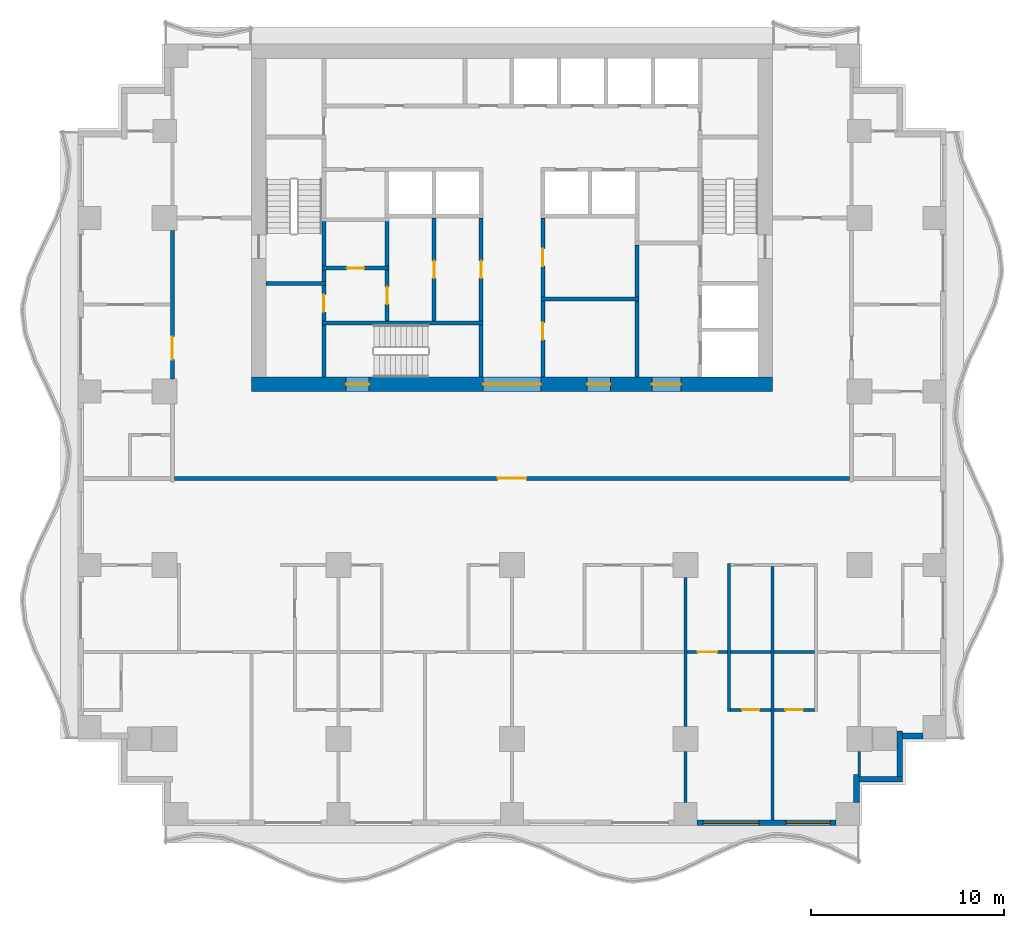
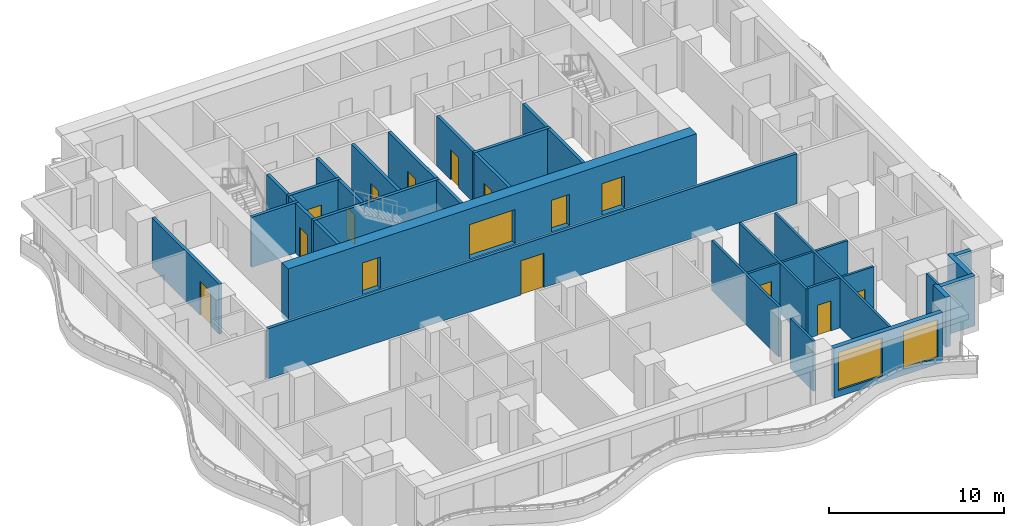
# One storey, part 3 of 10: 35 walls, 16 doors, 2 windows, 18 openings.
"""IFC4 building model written with IfcOpenShell, lengths in metres."""

import ifcopenshell
import ifcopenshell.guid

model = None  # the IFC model being written
_history = None  # IfcOwnerHistory: only IFC2X3 demands one
_inside = {}  # id of a spatial element -> (the spatial element, [elements in it])
_under = {}  # id of a project, library or spatial element -> (it, [spatial elements below it])
_declared = {}  # id of a project -> (the project, [libraries it declares])
_typed = {}  # id of a type object -> (the type object, [elements of that type])
_made_of = {}  # id of a material, layer set ... -> (it, [elements and type objects made of it])


def new_model(schema):
    """Start an empty IFC model of exactly this schema.

    Asked for "IFC4X3", IfcOpenShell would pick the latest addendum, in which some entities
    have other attributes; the version numbers below select the first issue.
    IFC2X3 requires an IfcOwnerHistory on every rooted entity: one is made here for all.
    """
    global model, _history
    if schema == "IFC4X3":
        model = ifcopenshell.file(schema_version=(4, 3, 0, 0))
    else:
        model = ifcopenshell.file(schema=schema)
    _inside.clear()
    _under.clear()
    _declared.clear()
    _typed.clear()
    _made_of.clear()
    _history = None
    if model.schema == "IFC2X3":
        org = make("IfcOrganization", Name="unknown")
        user = make(
            "IfcPersonAndOrganization",
            ThePerson=make("IfcPerson", FamilyName="unknown"),
            TheOrganization=org,
        )
        app = make(
            "IfcApplication",
            ApplicationDeveloper=org,
            Version="unknown",
            ApplicationFullName="unknown",
            ApplicationIdentifier="unknown",
        )
        _history = make(
            "IfcOwnerHistory",
            OwningUser=user,
            OwningApplication=app,
            ChangeAction="ADDED",
            CreationDate=0,
        )
    return model


def make(cls, **values):
    """One entity of the class cls with the attributes given. An attribute that is None is left unset."""
    return model.create_entity(
        cls, **{name: value for name, value in values.items() if value is not None}
    )


def rooted(cls, **values):
    """An entity with a GlobalId (a new one), such as an element, a storey or a relation."""
    return make(cls, GlobalId=ifcopenshell.guid.new(), OwnerHistory=_history, **values)


def si_unit(unit_type, name, prefix=None):
    """IfcSIUnit, for example si_unit("LENGTHUNIT", "METRE", prefix="MILLI")."""
    return make("IfcSIUnit", UnitType=unit_type, Prefix=prefix, Name=name)


def assignment(units):
    """IfcUnitAssignment: the units of a project."""
    return None if units is None else make("IfcUnitAssignment", Units=units)


def point(xyz):
    """IfcCartesianPoint."""
    return None if xyz is None else make("IfcCartesianPoint", Coordinates=xyz)


def direction(xyz):
    """IfcDirection."""
    return None if xyz is None else make("IfcDirection", DirectionRatios=xyz)


def frame(location, z_axis=None, x_axis=None):
    """IfcAxis2Placement3D, a coordinate frame: its origin and axes. An axis left out is left unset."""
    return make(
        "IfcAxis2Placement3D",
        Location=point(location),
        Axis=direction(z_axis),
        RefDirection=direction(x_axis),
    )


def frame_2d(location, x_axis=None):
    """IfcAxis2Placement2D, a coordinate frame in the plane: its origin and x axis."""
    return make(
        "IfcAxis2Placement2D", Location=point(location), RefDirection=direction(x_axis)
    )


def origin():
    """The frame at (0, 0, 0) with its axes left unset."""
    return frame((0.0, 0.0, 0.0))


def place(relative_to, where):
    """IfcLocalPlacement: puts the frame where relative to a parent placement (None: the world)."""
    return make(
        "IfcLocalPlacement", PlacementRelTo=relative_to, RelativePlacement=where
    )


def context(
    kind, dimensions, precision=None, world=None, true_north=None, identifier=None
):
    """IfcGeometricRepresentationContext, for example the 3D "Model" context."""
    return make(
        "IfcGeometricRepresentationContext",
        ContextIdentifier=identifier,
        ContextType=kind,
        CoordinateSpaceDimension=dimensions,
        Precision=precision,
        WorldCoordinateSystem=world,
        TrueNorth=true_north,
    )


def subcontext(parent, identifier, kind, view, scale=None):
    """IfcGeometricRepresentationSubContext, for example "Body" below "Model"."""
    return make(
        "IfcGeometricRepresentationSubContext",
        ContextIdentifier=identifier,
        ContextType=kind,
        ParentContext=parent,
        TargetScale=scale,
        TargetView=view,
    )


def project(units=None, contexts=None):
    """IfcProject with its units and contexts."""
    return rooted(
        "IfcProject",
        Name="project",
        RepresentationContexts=contexts,
        UnitsInContext=assignment(units),
    )


def spatial(cls, under=None, at=None, **own):
    """A site, building, storey or space (cls), placed at a placement, below another one or the project."""
    s = rooted(cls, ObjectPlacement=at, **own)
    if under is not None:
        _under.setdefault(under.id(), (under, []))[1].append(s)
    return s


def profile(cls, at=None, kind="AREA", **sizes):
    """A parametric profile (cls). Its sizes go by their IFC names, for example OverallWidth=200.0."""
    return make(cls, ProfileType=kind, Position=at, **sizes)


def rectangle(**sizes):
    """IfcRectangleProfileDef."""
    return profile("IfcRectangleProfileDef", **sizes)


def extrude(swept, where, along, depth):
    """IfcExtrudedAreaSolid: the profile swept, set in the frame where, extruded along a direction by depth."""
    return make(
        "IfcExtrudedAreaSolid",
        SweptArea=swept,
        Position=where,
        ExtrudedDirection=direction(along),
        Depth=depth,
    )


def shape(context_of_items, identifier, shape_type, items):
    """IfcShapeRepresentation: the items that make up one representation, for example the "Body"."""
    return make(
        "IfcShapeRepresentation",
        ContextOfItems=context_of_items,
        RepresentationIdentifier=identifier,
        RepresentationType=shape_type,
        Items=items,
    )


def material(Name=None, Category=None):
    """IfcMaterial."""
    return make("IfcMaterial", Name=Name, Category=Category)


def layer(
    of_material, thickness, ventilated=None, Name=None, Category=None, Priority=None
):
    """IfcMaterialLayer: one layer of a wall or slab, of a material (None: an air gap)."""
    return make(
        "IfcMaterialLayer",
        Material=of_material,
        LayerThickness=thickness,
        IsVentilated=ventilated,
        Name=Name,
        Category=Category,
        Priority=Priority,
    )


def layer_set(layers, Name=None):
    """IfcMaterialLayerSet."""
    return make("IfcMaterialLayerSet", MaterialLayers=layers, LayerSetName=Name)


def made_of(thing, what):
    """Note that an element or type object is made of a material, layer set ...; save() writes the relation."""
    if what is not None:
        _made_of.setdefault(what.id(), (what, []))[1].append(thing)
    return thing


def type_object(cls, material=None, **own):
    """A type object (cls), such as IfcWallType, which elements share."""
    return made_of(rooted(cls, **own), material)


def element(
    cls,
    number,
    at=None,
    inside=None,
    cuts=None,
    type_object=None,
    material=None,
    context=None,
    identifier="Body",
    shape_type=None,
    held_by="IfcProductDefinitionShape",
    body=None,
    shapes=None,
    **own,
):
    """One element of the class cls, such as IfcWall. Its Tag is "e" and its number.

    at: its placement. inside: the storey or other place that contains it. cuts: it is an
    opening in that element (IfcRelVoidsElement). A single representation is given by context,
    identifier, shape_type and body (its items); several are given by shapes. held_by: the class
    of the entity that holds the representations. save() writes the other relations.
    """
    e = rooted(cls, Tag="e%d" % number, ObjectPlacement=at, **own)
    if body is not None:
        shapes = [shape(context, identifier, shape_type, body)]
    if shapes is not None:
        e.Representation = make(held_by, Representations=shapes)
    if inside is not None:
        _inside.setdefault(inside.id(), (inside, []))[1].append(e)
    if cuts is not None:
        rooted(
            "IfcRelVoidsElement", RelatingBuildingElement=cuts, RelatedOpeningElement=e
        )
    if type_object is not None:
        _typed.setdefault(type_object.id(), (type_object, []))[1].append(e)
    return made_of(e, material)


def fill(opening, filler):
    """IfcRelFillsElement: the door or window that sits in an opening."""
    return rooted(
        "IfcRelFillsElement",
        RelatingOpeningElement=opening,
        RelatedBuildingElement=filler,
    )


def aggregate(whole, parts):
    """IfcRelAggregates: a whole, such as a stair, and the parts it consists of."""
    return rooted("IfcRelAggregates", RelatingObject=whole, RelatedObjects=parts)


def save(model, path):
    """Write the relations noted so far, then the file.

    IfcRelAggregates (storeys below a building ...), IfcRelContainedInSpatialStructure (elements
    in a storey), IfcRelDefinesByType, IfcRelAssociatesMaterial and IfcRelDeclares: one each for
    every whole, place, type object, material and project.
    """
    for whole, parts in _under.values():
        aggregate(whole, parts)
    for where, things in _inside.values():
        rooted(
            "IfcRelContainedInSpatialStructure",
            RelatedElements=things,
            RelatingStructure=where,
        )
    for kind, things in _typed.values():
        rooted("IfcRelDefinesByType", RelatedObjects=things, RelatingType=kind)
    for what, things in _made_of.values():
        rooted("IfcRelAssociatesMaterial", RelatedObjects=things, RelatingMaterial=what)
    for by, libraries in _declared.values():
        rooted("IfcRelDeclares", RelatingContext=by, RelatedDefinitions=libraries)
    model.write(path)


model = new_model("IFC4")

# Units and contexts
model_context = context("Model", 3, precision=1e-05, world=origin(), true_north=direction((0.0, 1.0)))
body_context = subcontext(model_context, "Body", "Model", "MODEL_VIEW")
ifc_project = project(units=[si_unit("LENGTHUNIT", "METRE"), si_unit("AREAUNIT", "SQUARE_METRE"), si_unit("VOLUMEUNIT", "CUBIC_METRE"), si_unit("PLANEANGLEUNIT", "RADIAN"), si_unit("MASSUNIT", "GRAM", prefix="KILO")], contexts=[model_context])

# Site, building, storey
site_placement = place(None, origin())
site = spatial("IfcSite", under=ifc_project, at=site_placement, CompositionType="ELEMENT")
building_placement = place(site_placement, origin())
building = spatial("IfcBuilding", under=site, at=building_placement, Name="Orbiselva Terraces", CompositionType="ELEMENT")
storey_placement = place(building_placement, frame((0.0, 0.0, 132.6)))
storey = spatial("IfcBuildingStorey", under=building, at=storey_placement, Name="L33", CompositionType="ELEMENT", Elevation=132.6)

# Wall, openings, doors
ifc_material_1 = material(Name="Concrete C80/95", Category="concrete")
ifc_layer_1 = layer(ifc_material_1, 0.75)
ifc_layer_set_1 = layer_set([ifc_layer_1], Name="Concrete C80/95")
wall_type_1 = type_object("IfcWallType", Name="CORE WALL 750", PredefinedType="SHEAR", material=ifc_layer_set_1)
wall_1_placement = place(storey_placement, frame((-13.5, 4.875, -0.3), z_axis=(0.0, 0.0, 1.0), x_axis=(1.0, 0.0, 0.0)))
wall_1 = element("IfcWall", 1, at=wall_1_placement, inside=storey, type_object=wall_type_1, Name="Core wall L33 south", PredefinedType="SHEAR", context=body_context, shape_type="SweptSolid", body=[
    extrude(rectangle(XDim=27.0, YDim=0.75, at=frame_2d((13.5, 0.0))), origin(), (0.0, 0.0, 1.0), 3.8),
])
opening_1_placement = place(wall_1_placement, frame((12.0, 0.0, 0.3)))
opening_1 = element("IfcOpeningElement", 2, at=opening_1_placement, cuts=wall_1, Name="Opening DL3000", PredefinedType="OPENING", context=body_context, shape_type="SweptSolid", body=[
    extrude(rectangle(XDim=3.0, YDim=2.4, at=frame_2d((1.5, 1.2))), frame((0.0, 0.385, 0.0), z_axis=(0.0, -1.0, 0.0), x_axis=(1.0, 0.0, 0.0)), (0.0, 0.0, 1.0), 0.77),
])
opening_2_placement = place(wall_1_placement, frame((4.9, 0.0, 0.3)))
opening_2 = element("IfcOpeningElement", 3, at=opening_2_placement, cuts=wall_1, Name="Opening DS1200", PredefinedType="OPENING", context=body_context, shape_type="SweptSolid", body=[
    extrude(rectangle(XDim=1.2, YDim=2.2, at=frame_2d((0.6, 1.1))), frame((0.0, 0.385, 0.0), z_axis=(0.0, -1.0, 0.0), x_axis=(1.0, 0.0, 0.0)), (0.0, 0.0, 1.0), 0.77),
])
opening_3_placement = place(wall_1_placement, frame((20.75, 0.0, 0.3)))
opening_3 = element("IfcOpeningElement", 4, at=opening_3_placement, cuts=wall_1, Name="Opening DF1500", PredefinedType="OPENING", context=body_context, shape_type="SweptSolid", body=[
    extrude(rectangle(XDim=1.5, YDim=2.2, at=frame_2d((0.75, 1.1))), frame((0.0, 0.385, 0.0), z_axis=(0.0, -1.0, 0.0), x_axis=(1.0, 0.0, 0.0)), (0.0, 0.0, 1.0), 0.77),
])
opening_4_placement = place(wall_1_placement, frame((17.4, 0.0, 0.3)))
opening_4 = element("IfcOpeningElement", 5, at=opening_4_placement, cuts=wall_1, Name="Opening DV1200", PredefinedType="OPENING", context=body_context, shape_type="SweptSolid", body=[
    extrude(rectangle(XDim=1.2, YDim=2.2, at=frame_2d((0.6, 1.1))), frame((0.0, 0.385, 0.0), z_axis=(0.0, -1.0, 0.0), x_axis=(1.0, 0.0, 0.0)), (0.0, 0.0, 1.0), 0.77),
])
ifc_material_2 = material(Name="Steel fire door", Category="steel")
door_type_1 = type_object("IfcDoorType", Name="FFL DOOR 1500", OperationType="DOUBLE_DOOR_SINGLE_SWING", PredefinedType="DOOR", material=ifc_material_2)
door_1_placement = place(opening_3_placement, frame((1.5, 0.0, 0.0), z_axis=(0.0, 0.0, 1.0), x_axis=(-1.0, 0.0, 0.0)))
door_1 = element("IfcDoor", 6, at=door_1_placement, inside=storey, type_object=door_type_1, Name="L33 FIRE-FIGHTING LOBBY door", OperationType="DOUBLE_DOOR_SINGLE_SWING", OverallHeight=2.2, OverallWidth=1.5, PredefinedType="DOOR", context=body_context, shape_type="SweptSolid", body=[
    extrude(rectangle(XDim=1.5, YDim=2.2, at=frame_2d((0.75, 1.1))), frame((0.0, 0.025, 0.0), z_axis=(0.0, -1.0, 0.0), x_axis=(1.0, 0.0, 0.0)), (0.0, 0.0, 1.0), 0.05),
])
fill(opening_3, door_1)
door_type_2 = type_object("IfcDoorType", Name="LOBBY DOOR 3000", OperationType="DOUBLE_DOOR_SINGLE_SWING", PredefinedType="DOOR", material=ifc_material_2)
door_2_placement = place(opening_1_placement, frame((3.0, 0.0, 0.0), z_axis=(0.0, 0.0, 1.0), x_axis=(-1.0, 0.0, 0.0)))
door_2 = element("IfcDoor", 7, at=door_2_placement, inside=storey, type_object=door_type_2, Name="L33 LIFT LOBBY door", OperationType="DOUBLE_DOOR_SINGLE_SWING", OverallHeight=2.4, OverallWidth=3.0, PredefinedType="DOOR", context=body_context, shape_type="SweptSolid", body=[
    extrude(rectangle(XDim=3.0, YDim=2.4, at=frame_2d((1.5, 1.2))), frame((0.0, 0.025, 0.0), z_axis=(0.0, -1.0, 0.0), x_axis=(1.0, 0.0, 0.0)), (0.0, 0.0, 1.0), 0.05),
])
fill(opening_1, door_2)
door_type_3 = type_object("IfcDoorType", Name="SERVICE DOOR 1200", OperationType="NOTDEFINED", PredefinedType="DOOR", material=ifc_material_2)
door_3_placement = place(opening_4_placement, frame((1.2, 0.0, 0.0), z_axis=(0.0, 0.0, 1.0), x_axis=(-1.0, 0.0, 0.0)))
door_3 = element("IfcDoor", 8, at=door_3_placement, inside=storey, type_object=door_type_3, Name="L33 ELECTRICAL ROOM door", OperationType="SINGLE_SWING_RIGHT", OverallHeight=2.2, OverallWidth=1.2, PredefinedType="DOOR", context=body_context, shape_type="SweptSolid", body=[
    extrude(rectangle(XDim=1.2, YDim=2.2, at=frame_2d((0.6, 1.1))), frame((0.0, 0.025, 0.0), z_axis=(0.0, -1.0, 0.0), x_axis=(1.0, 0.0, 0.0)), (0.0, 0.0, 1.0), 0.05),
])
fill(opening_4, door_3)
door_type_4 = type_object("IfcDoorType", Name="STAIR DOOR 1200", OperationType="NOTDEFINED", PredefinedType="DOOR", material=ifc_material_2)
door_4_placement = place(opening_2_placement, frame((1.2, 0.0, 0.0), z_axis=(0.0, 0.0, 1.0), x_axis=(-1.0, 0.0, 0.0)))
door_4 = element("IfcDoor", 9, at=door_4_placement, inside=storey, type_object=door_type_4, Name="L33 EXIT STAIR S3 door", OperationType="SINGLE_SWING_LEFT", OverallHeight=2.2, OverallWidth=1.2, PredefinedType="DOOR", context=body_context, shape_type="SweptSolid", body=[
    extrude(rectangle(XDim=1.2, YDim=2.2, at=frame_2d((0.6, 1.1))), frame((0.0, 0.025, 0.0), z_axis=(0.0, -1.0, 0.0), x_axis=(1.0, 0.0, 0.0)), (0.0, 0.0, 1.0), 0.05),
])
fill(opening_2, door_4)

# Wall, opening, door
ifc_material_3 = material(Name="Masonry blockwork", Category="masonry")
ifc_layer_2 = layer(ifc_material_3, 0.2)
ifc_layer_set_2 = layer_set([ifc_layer_2], Name="Masonry blockwork")
wall_type_2 = type_object("IfcWallType", Name="CORE-WALL-PARTITION-200", PredefinedType="PARTITIONING", material=ifc_layer_set_2)
wall_2_placement = place(storey_placement, frame((-9.75, 8.15, 0.0), z_axis=(0.0, 0.0, 1.0), x_axis=(0.0, 1.0, 0.0)))
wall_2 = element("IfcWall", 10, at=wall_2_placement, inside=storey, type_object=wall_type_2, Name="L33 core wall 05", PredefinedType="PARTITIONING", context=body_context, shape_type="SweptSolid", body=[
    extrude(rectangle(XDim=1.85, YDim=0.2, at=frame_2d((0.925, 0.0))), origin(), (0.0, 0.0, 1.0), 3.5),
])
opening_5_placement = place(wall_2_placement, frame((0.475, 0.0, 0.0)))
opening_5 = element("IfcOpeningElement", 11, at=opening_5_placement, cuts=wall_2, Name="Opening DR900", PredefinedType="OPENING", context=body_context, shape_type="SweptSolid", body=[
    extrude(rectangle(XDim=0.9, YDim=2.1, at=frame_2d((0.45, 1.05))), frame((0.0, 0.11, 0.0), z_axis=(0.0, -1.0, 0.0), x_axis=(1.0, 0.0, 0.0)), (0.0, 0.0, 1.0), 0.22),
])
door_type_5 = type_object("IfcDoorType", Name="ROOM DOOR 900", OperationType="NOTDEFINED", PredefinedType="DOOR", material=ifc_material_2)
door_5_placement = place(opening_5_placement, origin())
door_5 = element("IfcDoor", 12, at=door_5_placement, inside=storey, type_object=door_type_5, Name="L33 STAFF WC door", OperationType="SINGLE_SWING_RIGHT", OverallHeight=2.1, OverallWidth=0.9, PredefinedType="DOOR", context=body_context, shape_type="SweptSolid", body=[
    extrude(rectangle(XDim=0.9, YDim=2.1, at=frame_2d((0.45, 1.05))), frame((0.0, 0.025, 0.0), z_axis=(0.0, -1.0, 0.0), x_axis=(1.0, 0.0, 0.0)), (0.0, 0.0, 1.0), 0.05),
])
fill(opening_5, door_5)

wall_3_placement = place(storey_placement, frame((-6.475, 8.15, 0.0), z_axis=(0.0, 0.0, 1.0), x_axis=(0.0, 1.0, 0.0)))
wall_3 = element("IfcWall", 13, at=wall_3_placement, inside=storey, type_object=wall_type_2, Name="L33 core wall 16", PredefinedType="PARTITIONING", context=body_context, shape_type="SweptSolid", body=[
    extrude(rectangle(XDim=2.65, YDim=0.2, at=frame_2d((1.325, 0.0))), origin(), (0.0, 0.0, 1.0), 3.5),
])
opening_6_placement = place(wall_3_placement, frame((0.875, 0.0, 0.0)))
opening_6 = element("IfcOpeningElement", 14, at=opening_6_placement, cuts=wall_3, Name="Opening DR900", PredefinedType="OPENING", context=body_context, shape_type="SweptSolid", body=[
    extrude(rectangle(XDim=0.9, YDim=2.1, at=frame_2d((0.45, 1.05))), frame((0.0, 0.11, 0.0), z_axis=(0.0, -1.0, 0.0), x_axis=(1.0, 0.0, 0.0)), (0.0, 0.0, 1.0), 0.22),
])
door_6_placement = place(opening_6_placement, origin())
door_6 = element("IfcDoor", 15, at=door_6_placement, inside=storey, type_object=door_type_5, Name="L33 UNIFORM STORE door", OperationType="SINGLE_SWING_LEFT", OverallHeight=2.1, OverallWidth=0.9, PredefinedType="DOOR", context=body_context, shape_type="SweptSolid", body=[
    extrude(rectangle(XDim=0.9, YDim=2.1, at=frame_2d((0.45, 1.05))), frame((0.0, 0.025, 0.0), z_axis=(0.0, -1.0, 0.0), x_axis=(1.0, 0.0, 0.0)), (0.0, 0.0, 1.0), 0.05),
])
fill(opening_6, door_6)

# Wall
wall_4_placement = place(storey_placement, frame((-6.475, 11.0, 0.0), z_axis=(0.0, 0.0, 1.0), x_axis=(0.0, 1.0, 0.0)))
element("IfcWall", 16, at=wall_4_placement, inside=storey, type_object=wall_type_2, Name="L33 core wall 17", PredefinedType="PARTITIONING", context=body_context, shape_type="SweptSolid", body=[
    extrude(rectangle(XDim=2.3, YDim=0.2, at=frame_2d((1.15, 0.0))), origin(), (0.0, 0.0, 1.0), 3.5),
])

# Wall, opening, door
wall_5_placement = place(storey_placement, frame((-4.0375, 8.15, 0.0), z_axis=(0.0, 0.0, 1.0), x_axis=(0.0, 1.0, 0.0)))
wall_5 = element("IfcWall", 17, at=wall_5_placement, inside=storey, type_object=wall_type_2, Name="L33 core wall 20", PredefinedType="PARTITIONING", context=body_context, shape_type="SweptSolid", body=[
    extrude(rectangle(XDim=5.35, YDim=0.2, at=frame_2d((2.675, 0.0))), origin(), (0.0, 0.0, 1.0), 3.5),
])
opening_7_placement = place(wall_5_placement, frame((2.225, 0.0, 0.0)))
opening_7 = element("IfcOpeningElement", 18, at=opening_7_placement, cuts=wall_5, Name="Opening DR900", PredefinedType="OPENING", context=body_context, shape_type="SweptSolid", body=[
    extrude(rectangle(XDim=0.9, YDim=2.1, at=frame_2d((0.45, 1.05))), frame((0.0, 0.11, 0.0), z_axis=(0.0, -1.0, 0.0), x_axis=(1.0, 0.0, 0.0)), (0.0, 0.0, 1.0), 0.22),
])
door_7_placement = place(opening_7_placement, origin())
door_7 = element("IfcDoor", 19, at=door_7_placement, inside=storey, type_object=door_type_5, Name="L33 BUILDING STORE door", OperationType="SINGLE_SWING_RIGHT", OverallHeight=2.1, OverallWidth=0.9, PredefinedType="DOOR", context=body_context, shape_type="SweptSolid", body=[
    extrude(rectangle(XDim=0.9, YDim=2.1, at=frame_2d((0.45, 1.05))), frame((0.0, 0.025, 0.0), z_axis=(0.0, -1.0, 0.0), x_axis=(1.0, 0.0, 0.0)), (0.0, 0.0, 1.0), 0.05),
])
fill(opening_7, door_7)

# Walls
ifc_material_4 = material(Name="Concrete C60/75", Category="concrete")
ifc_layer_3 = layer(ifc_material_4, 0.2)
ifc_layer_set_3 = layer_set([ifc_layer_3], Name="Concrete C60/75")
wall_type_3 = type_object("IfcWallType", Name="CORE-WALL-SHEAR-200", PredefinedType="SHEAR", material=ifc_layer_set_3)
wall_6_placement = place(storey_placement, frame((-12.75, 10.1, 0.0), z_axis=(0.0, 0.0, 1.0), x_axis=(1.0, 0.0, 0.0)))
element("IfcWall", 20, at=wall_6_placement, inside=storey, type_object=wall_type_3, Name="L33 core wall 01", PredefinedType="SHEAR", context=body_context, shape_type="SweptSolid", body=[
    extrude(rectangle(XDim=3.1, YDim=0.2, at=frame_2d((1.55, 0.0))), origin(), (0.0, 0.0, 1.0), 3.5),
])
wall_7_placement = place(storey_placement, frame((-9.75, 5.25, 0.0), z_axis=(0.0, 0.0, 1.0), x_axis=(0.0, 1.0, 0.0)))
element("IfcWall", 21, at=wall_7_placement, inside=storey, type_object=wall_type_3, Name="L33 core wall 03", PredefinedType="SHEAR", context=body_context, shape_type="SweptSolid", body=[
    extrude(rectangle(XDim=2.7, YDim=0.2, at=frame_2d((1.35, 0.0))), origin(), (0.0, 0.0, 1.0), 3.5),
])
wall_8_placement = place(storey_placement, frame((-9.85, 8.05, 0.0), z_axis=(0.0, 0.0, 1.0), x_axis=(1.0, 0.0, 0.0)))
element("IfcWall", 22, at=wall_8_placement, inside=storey, type_object=wall_type_3, Name="L33 core wall 04", PredefinedType="SHEAR", context=body_context, shape_type="SweptSolid", body=[
    extrude(rectangle(XDim=8.35, YDim=0.2, at=frame_2d((4.175, 0.0))), origin(), (0.0, 0.0, 1.0), 3.5),
])
wall_9_placement = place(storey_placement, frame((-9.75, 10.2, 0.0), z_axis=(0.0, 0.0, 1.0), x_axis=(0.0, 1.0, 0.0)))
element("IfcWall", 23, at=wall_9_placement, inside=storey, type_object=wall_type_3, Name="L33 core wall 06", PredefinedType="SHEAR", context=body_context, shape_type="SweptSolid", body=[
    extrude(rectangle(XDim=0.6, YDim=0.2, at=frame_2d((0.3, 0.0))), origin(), (0.0, 0.0, 1.0), 3.5),
])

# Wall, opening, door
wall_10_placement = place(storey_placement, frame((-9.85, 10.9, 0.0), z_axis=(0.0, 0.0, 1.0), x_axis=(1.0, 0.0, 0.0)))
wall_10 = element("IfcWall", 24, at=wall_10_placement, inside=storey, type_object=wall_type_3, Name="L33 core wall 07", PredefinedType="SHEAR", context=body_context, shape_type="SweptSolid", body=[
    extrude(rectangle(XDim=3.475, YDim=0.2, at=frame_2d((1.7375, 0.0))), origin(), (0.0, 0.0, 1.0), 3.5),
])
opening_8_placement = place(wall_10_placement, frame((1.2875, 0.0, 0.0)))
opening_8 = element("IfcOpeningElement", 25, at=opening_8_placement, cuts=wall_10, Name="Opening DR900", PredefinedType="OPENING", context=body_context, shape_type="SweptSolid", body=[
    extrude(rectangle(XDim=0.9, YDim=2.1, at=frame_2d((0.45, 1.05))), frame((0.0, 0.11, 0.0), z_axis=(0.0, -1.0, 0.0), x_axis=(1.0, 0.0, 0.0)), (0.0, 0.0, 1.0), 0.22),
])
door_8_placement = place(opening_8_placement, origin())
door_8 = element("IfcDoor", 26, at=door_8_placement, inside=storey, type_object=door_type_5, Name="L33 LAUNDRY ROOM door", OperationType="SINGLE_SWING_RIGHT", OverallHeight=2.1, OverallWidth=0.9, PredefinedType="DOOR", context=body_context, shape_type="SweptSolid", body=[
    extrude(rectangle(XDim=0.9, YDim=2.1, at=frame_2d((0.45, 1.05))), frame((0.0, 0.025, 0.0), z_axis=(0.0, -1.0, 0.0), x_axis=(1.0, 0.0, 0.0)), (0.0, 0.0, 1.0), 0.05),
])
fill(opening_8, door_8)

# Walls
wall_11_placement = place(storey_placement, frame((-9.75, 11.0, 0.0), z_axis=(0.0, 0.0, 1.0), x_axis=(0.0, 1.0, 0.0)))
element("IfcWall", 27, at=wall_11_placement, inside=storey, type_object=wall_type_3, Name="L33 core wall 08", PredefinedType="SHEAR", context=body_context, shape_type="SweptSolid", body=[
    extrude(rectangle(XDim=2.3, YDim=0.2, at=frame_2d((1.15, 0.0))), origin(), (0.0, 0.0, 1.0), 3.5),
])
wall_12_placement = place(storey_placement, frame((-1.6, 5.25, 0.0), z_axis=(0.0, 0.0, 1.0), x_axis=(0.0, 1.0, 0.0)))
element("IfcWall", 28, at=wall_12_placement, inside=storey, type_object=wall_type_3, Name="L33 core wall 23", PredefinedType="SHEAR", context=body_context, shape_type="SweptSolid", body=[
    extrude(rectangle(XDim=2.7, YDim=0.2, at=frame_2d((1.35, 0.0))), origin(), (0.0, 0.0, 1.0), 3.5),
])

# Wall, opening, door
wall_13_placement = place(storey_placement, frame((-1.6, 8.15, 0.0), z_axis=(0.0, 0.0, 1.0), x_axis=(0.0, 1.0, 0.0)))
wall_13 = element("IfcWall", 29, at=wall_13_placement, inside=storey, type_object=wall_type_3, Name="L33 core wall 24", PredefinedType="SHEAR", context=body_context, shape_type="SweptSolid", body=[
    extrude(rectangle(XDim=5.35, YDim=0.2, at=frame_2d((2.675, 0.0))), origin(), (0.0, 0.0, 1.0), 3.5),
])
opening_9_placement = place(wall_13_placement, frame((2.225, 0.0, 0.0)))
opening_9 = element("IfcOpeningElement", 30, at=opening_9_placement, cuts=wall_13, Name="Opening DR900", PredefinedType="OPENING", context=body_context, shape_type="SweptSolid", body=[
    extrude(rectangle(XDim=0.9, YDim=2.1, at=frame_2d((0.45, 1.05))), frame((0.0, 0.11, 0.0), z_axis=(0.0, -1.0, 0.0), x_axis=(1.0, 0.0, 0.0)), (0.0, 0.0, 1.0), 0.22),
])
door_9_placement = place(opening_9_placement, origin())
door_9 = element("IfcDoor", 31, at=door_9_placement, inside=storey, type_object=door_type_5, Name="L33 GUEST PANTRY door", OperationType="SINGLE_SWING_RIGHT", OverallHeight=2.1, OverallWidth=0.9, PredefinedType="DOOR", context=body_context, shape_type="SweptSolid", body=[
    extrude(rectangle(XDim=0.9, YDim=2.1, at=frame_2d((0.45, 1.05))), frame((0.0, 0.025, 0.0), z_axis=(0.0, -1.0, 0.0), x_axis=(1.0, 0.0, 0.0)), (0.0, 0.0, 1.0), 0.05),
])
fill(opening_9, door_9)

wall_14_placement = place(storey_placement, frame((1.6, 9.2, 0.0), z_axis=(0.0, 0.0, 1.0), x_axis=(0.0, -1.0, 0.0)))
wall_14 = element("IfcWall", 32, at=wall_14_placement, inside=storey, type_object=wall_type_3, Name="L33 core wall 27", PredefinedType="SHEAR", context=body_context, shape_type="SweptSolid", body=[
    extrude(rectangle(XDim=3.95, YDim=0.2, at=frame_2d((1.975, 0.0))), origin(), (0.0, 0.0, 1.0), 3.5),
])
opening_10_placement = place(wall_14_placement, frame((1.125, 0.0, 0.0)))
opening_10 = element("IfcOpeningElement", 33, at=opening_10_placement, cuts=wall_14, Name="Opening DR900", PredefinedType="OPENING", context=body_context, shape_type="SweptSolid", body=[
    extrude(rectangle(XDim=0.9, YDim=2.1, at=frame_2d((0.45, 1.05))), frame((0.0, 0.11, 0.0), z_axis=(0.0, -1.0, 0.0), x_axis=(1.0, 0.0, 0.0)), (0.0, 0.0, 1.0), 0.22),
])
door_10_placement = place(opening_10_placement, origin())
door_10 = element("IfcDoor", 34, at=door_10_placement, inside=storey, type_object=door_type_5, Name="L33 ELECTRICAL ROOM door", OperationType="SINGLE_SWING_LEFT", OverallHeight=2.1, OverallWidth=0.9, PredefinedType="DOOR", context=body_context, shape_type="SweptSolid", body=[
    extrude(rectangle(XDim=0.9, YDim=2.1, at=frame_2d((0.45, 1.05))), frame((0.0, 0.025, 0.0), z_axis=(0.0, -1.0, 0.0), x_axis=(1.0, 0.0, 0.0)), (0.0, 0.0, 1.0), 0.05),
])
fill(opening_10, door_10)

# Wall
wall_15_placement = place(storey_placement, frame((1.5, 9.3, 0.0), z_axis=(0.0, 0.0, 1.0), x_axis=(1.0, 0.0, 0.0)))
element("IfcWall", 35, at=wall_15_placement, inside=storey, type_object=wall_type_3, Name="L33 core wall 28", PredefinedType="SHEAR", context=body_context, shape_type="SweptSolid", body=[
    extrude(rectangle(XDim=5.075, YDim=0.2, at=frame_2d((2.5375, 0.0))), origin(), (0.0, 0.0, 1.0), 3.5),
])

# Wall, opening, door
wall_16_placement = place(storey_placement, frame((1.6, 13.5, 0.0), z_axis=(0.0, 0.0, 1.0), x_axis=(0.0, -1.0, 0.0)))
wall_16 = element("IfcWall", 36, at=wall_16_placement, inside=storey, type_object=wall_type_3, Name="L33 core wall 29", PredefinedType="SHEAR", context=body_context, shape_type="SweptSolid", body=[
    extrude(rectangle(XDim=4.1, YDim=0.2, at=frame_2d((2.05, 0.0))), origin(), (0.0, 0.0, 1.0), 3.5),
])
opening_11_placement = place(wall_16_placement, frame((1.6, 0.0, 0.0)))
opening_11 = element("IfcOpeningElement", 37, at=opening_11_placement, cuts=wall_16, Name="Opening DR900", PredefinedType="OPENING", context=body_context, shape_type="SweptSolid", body=[
    extrude(rectangle(XDim=0.9, YDim=2.1, at=frame_2d((0.45, 1.05))), frame((0.0, 0.11, 0.0), z_axis=(0.0, -1.0, 0.0), x_axis=(1.0, 0.0, 0.0)), (0.0, 0.0, 1.0), 0.22),
])
door_11_placement = place(opening_11_placement, origin())
door_11 = element("IfcDoor", 38, at=door_11_placement, inside=storey, type_object=door_type_5, Name="L33 COMMS ROOM door", OperationType="SINGLE_SWING_RIGHT", OverallHeight=2.1, OverallWidth=0.9, PredefinedType="DOOR", context=body_context, shape_type="SweptSolid", body=[
    extrude(rectangle(XDim=0.9, YDim=2.1, at=frame_2d((0.45, 1.05))), frame((0.0, 0.025, 0.0), z_axis=(0.0, -1.0, 0.0), x_axis=(1.0, 0.0, 0.0)), (0.0, 0.0, 1.0), 0.05),
])
fill(opening_11, door_11)

# Walls
wall_17_placement = place(storey_placement, frame((6.475, 5.25, 0.0), z_axis=(0.0, 0.0, 1.0), x_axis=(0.0, 1.0, 0.0)))
element("IfcWall", 39, at=wall_17_placement, inside=storey, type_object=wall_type_3, Name="L33 core wall 36", PredefinedType="SHEAR", context=body_context, shape_type="SweptSolid", body=[
    extrude(rectangle(XDim=3.95, YDim=0.2, at=frame_2d((1.975, 0.0))), origin(), (0.0, 0.0, 1.0), 3.5),
])
wall_18_placement = place(storey_placement, frame((6.475, 9.4, 0.0), z_axis=(0.0, 0.0, 1.0), x_axis=(0.0, 1.0, 0.0)))
element("IfcWall", 40, at=wall_18_placement, inside=storey, type_object=wall_type_3, Name="L33 core wall 37", PredefinedType="SHEAR", context=body_context, shape_type="SweptSolid", body=[
    extrude(rectangle(XDim=2.7, YDim=0.2, at=frame_2d((1.35, 0.0))), origin(), (0.0, 0.0, 1.0), 3.5),
])

# Wall, openings, windows
ifc_material_5 = material(Name="Terracotta cladding on masonry backing", Category="masonry")
ifc_layer_4 = layer(ifc_material_5, 0.3)
ifc_layer_set_4 = layer_set([ifc_layer_4], Name="Terracotta cladding on masonry backing")
wall_type_4 = type_object("IfcWallType", Name="ENV-WALL-TERRACOTTA-300", PredefinedType="SOLIDWALL", material=ifc_layer_set_4)
wall_19_placement = place(storey_placement, frame((16.8, -17.85, 0.0), z_axis=(0.0, 0.0, 1.0), x_axis=(-1.0, 0.0, 0.0)))
wall_19 = element("IfcWall", 41, at=wall_19_placement, inside=storey, type_object=wall_type_4, Name="Facade wall L33 S", PredefinedType="SOLIDWALL", context=body_context, shape_type="SweptSolid", body=[
    extrude(rectangle(XDim=7.2, YDim=0.3, at=frame_2d((3.6, 0.0))), origin(), (0.0, 0.0, 1.0), 3.5),
])
opening_12_placement = place(wall_19_placement, frame((4.0, 0.0, 0.45)))
opening_12 = element("IfcOpeningElement", 42, at=opening_12_placement, cuts=wall_19, Name="Opening WN8", PredefinedType="OPENING", context=body_context, shape_type="SweptSolid", body=[
    extrude(rectangle(XDim=2.9, YDim=2.65, at=frame_2d((1.45, 1.325))), frame((0.0, 0.16, 0.0), z_axis=(0.0, -1.0, 0.0), x_axis=(1.0, 0.0, 0.0)), (0.0, 0.0, 1.0), 0.32),
])
opening_13_placement = place(wall_19_placement, frame((0.3, 0.0, 0.45)))
opening_13 = element("IfcOpeningElement", 43, at=opening_13_placement, cuts=wall_19, Name="Opening WN7", PredefinedType="OPENING", context=body_context, shape_type="SweptSolid", body=[
    extrude(rectangle(XDim=2.3, YDim=2.65, at=frame_2d((1.15, 1.325))), frame((0.0, 0.16, 0.0), z_axis=(0.0, -1.0, 0.0), x_axis=(1.0, 0.0, 0.0)), (0.0, 0.0, 1.0), 0.32),
])
ifc_material_6 = material(Name="Clear low-e glazing in aluminium frame", Category="aluminium")
window_type_1 = type_object("IfcWindowType", Name="WINDOW 2300 X 2650 S450", PartitioningType="TRIPLE_PANEL_VERTICAL", PredefinedType="WINDOW", material=ifc_material_6)
window_1_placement = place(opening_13_placement, origin())
window_1 = element("IfcWindow", 44, at=window_1_placement, inside=storey, type_object=window_type_1, Name="Window L33 S", OverallHeight=2.65, OverallWidth=2.3, PartitioningType="SINGLE_PANEL", PredefinedType="WINDOW", context=body_context, shape_type="SweptSolid", body=[
    extrude(rectangle(XDim=2.3, YDim=2.65, at=frame_2d((1.15, 1.325))), frame((0.0, 0.03, 0.0), z_axis=(0.0, -1.0, 0.0), x_axis=(1.0, 0.0, 0.0)), (0.0, 0.0, 1.0), 0.06),
])
fill(opening_13, window_1)
window_type_2 = type_object("IfcWindowType", Name="WINDOW 2900 X 2650 S450", PartitioningType="TRIPLE_PANEL_VERTICAL", PredefinedType="WINDOW", material=ifc_material_6)
window_2_placement = place(opening_12_placement, origin())
window_2 = element("IfcWindow", 45, at=window_2_placement, inside=storey, type_object=window_type_2, Name="Window L33 S", OverallHeight=2.65, OverallWidth=2.9, PartitioningType="SINGLE_PANEL", PredefinedType="WINDOW", context=body_context, shape_type="SweptSolid", body=[
    extrude(rectangle(XDim=2.9, YDim=2.65, at=frame_2d((1.45, 1.325))), frame((0.0, 0.03, 0.0), z_axis=(0.0, -1.0, 0.0), x_axis=(1.0, 0.0, 0.0)), (0.0, 0.0, 1.0), 0.06),
])
fill(opening_12, window_2)

# Walls
wall_20_placement = place(storey_placement, frame((17.85, -15.35, 0.0), z_axis=(0.0, 0.0, 1.0), x_axis=(0.0, -1.0, 0.0)))
element("IfcWall", 46, at=wall_20_placement, inside=storey, type_object=wall_type_4, Name="Facade wall L33 STEP", PredefinedType="SOLIDWALL", context=body_context, shape_type="SweptSolid", body=[
    extrude(rectangle(XDim=1.45, YDim=0.3, at=frame_2d((0.725, 0.0))), origin(), (0.0, 0.0, 1.0), 3.5),
])
wall_21_placement = place(storey_placement, frame((20.25, -15.6, 0.0), z_axis=(0.0, 0.0, 1.0), x_axis=(-1.0, 0.0, 0.0)))
element("IfcWall", 47, at=wall_21_placement, inside=storey, type_object=wall_type_4, Name="Facade wall L33 STEP", PredefinedType="SOLIDWALL", context=body_context, shape_type="SweptSolid", body=[
    extrude(rectangle(XDim=2.25, YDim=0.3, at=frame_2d((1.125, 0.0))), origin(), (0.0, 0.0, 1.0), 3.5),
])
wall_22_placement = place(storey_placement, frame((20.1, -13.1, 0.0), z_axis=(0.0, 0.0, 1.0), x_axis=(0.0, -1.0, 0.0)))
element("IfcWall", 48, at=wall_22_placement, inside=storey, type_object=wall_type_4, Name="Facade wall L33 STEP", PredefinedType="SOLIDWALL", context=body_context, shape_type="SweptSolid", body=[
    extrude(rectangle(XDim=2.35, YDim=0.3, at=frame_2d((1.175, 0.0))), origin(), (0.0, 0.0, 1.0), 3.5),
])
wall_23_placement = place(storey_placement, frame((21.3, -13.35, 0.0), z_axis=(0.0, 0.0, 1.0), x_axis=(-1.0, 0.0, 0.0)))
element("IfcWall", 49, at=wall_23_placement, inside=storey, type_object=wall_type_4, Name="Facade wall L33 STEP", PredefinedType="SOLIDWALL", context=body_context, shape_type="SweptSolid", body=[
    extrude(rectangle(XDim=1.05, YDim=0.3, at=frame_2d((0.525, 0.0))), origin(), (0.0, 0.0, 1.0), 3.5),
])

# Wall, opening, door
ifc_material_7 = material(Name="Plasterboard on steel stud partition", Category="steel")
ifc_layer_5 = layer(ifc_material_7, 0.2)
ifc_layer_set_5 = layer_set([ifc_layer_5], Name="Plasterboard on steel stud partition")
wall_type_5 = type_object("IfcWallType", Name="UNIT-ENTRANCE-WALL-200", PredefinedType="PARTITIONING", material=ifc_layer_set_5)
wall_24_placement = place(storey_placement, frame((17.5, 0.0, 0.0), z_axis=(0.0, 0.0, 1.0), x_axis=(-1.0, 0.0, 0.0)))
wall_24 = element("IfcWall", 50, at=wall_24_placement, inside=storey, type_object=wall_type_5, Name="PARTITION L33-022", PredefinedType="PARTITIONING", context=body_context, shape_type="SweptSolid", body=[
    extrude(rectangle(XDim=35.0, YDim=0.2, at=frame_2d((17.5, 0.0))), origin(), (0.0, 0.0, 1.0), 3.5),
])
opening_14_placement = place(wall_24_placement, frame((16.75, 0.0, 0.0)))
opening_14 = element("IfcOpeningElement", 51, at=opening_14_placement, cuts=wall_24, Name="Opening Z3-A-13", PredefinedType="OPENING", context=body_context, shape_type="SweptSolid", body=[
    extrude(rectangle(XDim=1.5, YDim=2.4, at=frame_2d((0.75, 1.2))), frame((0.0, 0.11, 0.0), z_axis=(0.0, -1.0, 0.0), x_axis=(1.0, 0.0, 0.0)), (0.0, 0.0, 1.0), 0.22),
])
ifc_material_8 = material(Name="Painted timber door leaf", Category="wood")
door_type_6 = type_object("IfcDoorType", Name="ENTRANCE DOUBLE DOOR 1500", OperationType="NOTDEFINED", PredefinedType="DOOR", material=ifc_material_8)
door_12_placement = place(opening_14_placement, origin())
door_12 = element("IfcDoor", 52, at=door_12_placement, inside=storey, type_object=door_type_6, Name="Z3-A-13", OperationType="DOUBLE_DOOR_SINGLE_SWING", OverallHeight=2.4, OverallWidth=1.5, PredefinedType="DOOR", context=body_context, shape_type="SweptSolid", body=[
    extrude(rectangle(XDim=1.5, YDim=2.4, at=frame_2d((0.75, 1.2))), frame((0.0, 0.025, 0.0), z_axis=(0.0, -1.0, 0.0), x_axis=(1.0, 0.0, 0.0)), (0.0, 0.0, 1.0), 0.05),
])
fill(opening_14, door_12)

wall_25_placement = place(storey_placement, frame((-17.6, 5.15, 0.0), z_axis=(0.0, 0.0, 1.0), x_axis=(0.0, 1.0, 0.0)))
wall_25 = element("IfcWall", 53, at=wall_25_placement, inside=storey, type_object=wall_type_5, Name="PARTITION L33-038", PredefinedType="PARTITIONING", context=body_context, shape_type="SweptSolid", body=[
    extrude(rectangle(XDim=7.7, YDim=0.2, at=frame_2d((3.85, 0.0))), origin(), (0.0, 0.0, 1.0), 3.5),
])
opening_15_placement = place(wall_25_placement, frame((1.0, 0.0, 0.0)))
opening_15 = element("IfcOpeningElement", 54, at=opening_15_placement, cuts=wall_25, Name="Opening Z3-A-05", PredefinedType="OPENING", context=body_context, shape_type="SweptSolid", body=[
    extrude(rectangle(XDim=1.2, YDim=2.4, at=frame_2d((0.6, 1.2))), frame((0.0, 0.11, 0.0), z_axis=(0.0, -1.0, 0.0), x_axis=(1.0, 0.0, 0.0)), (0.0, 0.0, 1.0), 0.22),
])
door_type_7 = type_object("IfcDoorType", Name="ENTRANCE DOOR 1200", OperationType="NOTDEFINED", PredefinedType="DOOR", material=ifc_material_8)
door_13_placement = place(opening_15_placement, origin())
door_13 = element("IfcDoor", 55, at=door_13_placement, inside=storey, type_object=door_type_7, Name="Z3-A-05", OperationType="SINGLE_SWING_LEFT", OverallHeight=2.4, OverallWidth=1.2, PredefinedType="DOOR", context=body_context, shape_type="SweptSolid", body=[
    extrude(rectangle(XDim=1.2, YDim=2.4, at=frame_2d((0.6, 1.2))), frame((0.0, 0.025, 0.0), z_axis=(0.0, -1.0, 0.0), x_axis=(1.0, 0.0, 0.0)), (0.0, 0.0, 1.0), 0.05),
])
fill(opening_15, door_13)

ifc_layer_6 = layer(ifc_material_7, 0.15)
ifc_layer_set_6 = layer_set([ifc_layer_6], Name="Plasterboard on steel stud partition")
wall_type_6 = type_object("IfcWallType", Name="UNIT-PARTITION-150", PredefinedType="PARTITIONING", material=ifc_layer_set_6)
wall_26_placement = place(storey_placement, frame((11.325, -12.0, 0.0), z_axis=(0.0, 0.0, 1.0), x_axis=(1.0, 0.0, 0.0)))
wall_26 = element("IfcWall", 56, at=wall_26_placement, inside=storey, type_object=wall_type_6, Name="PARTITION L33-004", PredefinedType="PARTITIONING", context=body_context, shape_type="SweptSolid", body=[
    extrude(rectangle(XDim=2.1, YDim=0.15, at=frame_2d((1.05, 0.0))), origin(), (0.0, 0.0, 1.0), 3.5),
])
opening_16_placement = place(wall_26_placement, frame((0.6, 0.0, 0.0)))
opening_16 = element("IfcOpeningElement", 57, at=opening_16_placement, cuts=wall_26, Name="Opening Z3-A-32", PredefinedType="OPENING", context=body_context, shape_type="SweptSolid", body=[
    extrude(rectangle(XDim=0.9, YDim=2.1, at=frame_2d((0.45, 1.05))), frame((0.0, 0.085, 0.0), z_axis=(0.0, -1.0, 0.0), x_axis=(1.0, 0.0, 0.0)), (0.0, 0.0, 1.0), 0.17),
])
door_type_8 = type_object("IfcDoorType", Name="BATH DOOR 900", OperationType="NOTDEFINED", PredefinedType="DOOR", material=ifc_material_8)
door_14_placement = place(opening_16_placement, origin())
door_14 = element("IfcDoor", 58, at=door_14_placement, inside=storey, type_object=door_type_8, Name="Z3-A-32", OperationType="SINGLE_SWING_LEFT", OverallHeight=2.1, OverallWidth=0.9, PredefinedType="DOOR", context=body_context, shape_type="SweptSolid", body=[
    extrude(rectangle(XDim=0.9, YDim=2.1, at=frame_2d((0.45, 1.05))), frame((0.0, 0.025, 0.0), z_axis=(0.0, -1.0, 0.0), x_axis=(1.0, 0.0, 0.0)), (0.0, 0.0, 1.0), 0.05),
])
fill(opening_16, door_14)

wall_27_placement = place(storey_placement, frame((13.575, -12.0, 0.0), z_axis=(0.0, 0.0, 1.0), x_axis=(1.0, 0.0, 0.0)))
wall_27 = element("IfcWall", 59, at=wall_27_placement, inside=storey, type_object=wall_type_6, Name="PARTITION L33-005", PredefinedType="PARTITIONING", context=body_context, shape_type="SweptSolid", body=[
    extrude(rectangle(XDim=2.1, YDim=0.15, at=frame_2d((1.05, 0.0))), origin(), (0.0, 0.0, 1.0), 3.5),
])
opening_17_placement = place(wall_27_placement, frame((0.6, 0.0, 0.0)))
opening_17 = element("IfcOpeningElement", 60, at=opening_17_placement, cuts=wall_27, Name="Opening Z3-A-34", PredefinedType="OPENING", context=body_context, shape_type="SweptSolid", body=[
    extrude(rectangle(XDim=0.9, YDim=2.1, at=frame_2d((0.45, 1.05))), frame((0.0, 0.085, 0.0), z_axis=(0.0, -1.0, 0.0), x_axis=(1.0, 0.0, 0.0)), (0.0, 0.0, 1.0), 0.17),
])
door_15_placement = place(opening_17_placement, origin())
door_15 = element("IfcDoor", 61, at=door_15_placement, inside=storey, type_object=door_type_8, Name="Z3-A-34", OperationType="SINGLE_SWING_LEFT", OverallHeight=2.1, OverallWidth=0.9, PredefinedType="DOOR", context=body_context, shape_type="SweptSolid", body=[
    extrude(rectangle(XDim=0.9, YDim=2.1, at=frame_2d((0.45, 1.05))), frame((0.0, 0.025, 0.0), z_axis=(0.0, -1.0, 0.0), x_axis=(1.0, 0.0, 0.0)), (0.0, 0.0, 1.0), 0.05),
])
fill(opening_17, door_15)

wall_28_placement = place(storey_placement, frame((11.175, -9.0, 0.0), z_axis=(0.0, 0.0, 1.0), x_axis=(-1.0, 0.0, 0.0)))
wall_28 = element("IfcWall", 62, at=wall_28_placement, inside=storey, type_object=wall_type_6, Name="PARTITION L33-011", PredefinedType="PARTITIONING", context=body_context, shape_type="SweptSolid", body=[
    extrude(rectangle(XDim=2.1, YDim=0.15, at=frame_2d((1.05, 0.0))), origin(), (0.0, 0.0, 1.0), 3.5),
])
opening_18_placement = place(wall_28_placement, frame((0.55, 0.0, 0.0)))
opening_18 = element("IfcOpeningElement", 63, at=opening_18_placement, cuts=wall_28, Name="Opening Z3-A-31", PredefinedType="OPENING", context=body_context, shape_type="SweptSolid", body=[
    extrude(rectangle(XDim=1.0, YDim=2.4, at=frame_2d((0.5, 1.2))), frame((0.0, 0.085, 0.0), z_axis=(0.0, -1.0, 0.0), x_axis=(1.0, 0.0, 0.0)), (0.0, 0.0, 1.0), 0.17),
])
door_type_9 = type_object("IfcDoorType", Name="ROOM DOOR 1000", OperationType="NOTDEFINED", PredefinedType="DOOR", material=ifc_material_8)
door_16_placement = place(opening_18_placement, origin())
door_16 = element("IfcDoor", 64, at=door_16_placement, inside=storey, type_object=door_type_9, Name="Z3-A-31", OperationType="SINGLE_SWING_RIGHT", OverallHeight=2.4, OverallWidth=1.0, PredefinedType="DOOR", context=body_context, shape_type="SweptSolid", body=[
    extrude(rectangle(XDim=1.0, YDim=2.4, at=frame_2d((0.5, 1.2))), frame((0.0, 0.025, 0.0), z_axis=(0.0, -1.0, 0.0), x_axis=(1.0, 0.0, 0.0)), (0.0, 0.0, 1.0), 0.05),
])
fill(opening_18, door_16)

# Walls
for number, where, z_axis, x_axis, name in (
    (65, (11.325, -9.0, 0.0), (0.0, 0.0, 1.0), (1.0, 0.0, 0.0), "PARTITION L33-012"),
    (66, (13.575, -9.0, 0.0), (0.0, 0.0, 1.0), (1.0, 0.0, 0.0), "PARTITION L33-013"),
):
    element("IfcWall", number, at=place(storey_placement, frame(where, z_axis=z_axis, x_axis=x_axis)), inside=storey, type_object=wall_type_6, Name=name, PredefinedType="PARTITIONING", context=body_context, shape_type="SweptSolid", body=[
        extrude(rectangle(XDim=2.1, YDim=0.15, at=frame_2d((1.05, 0.0))), origin(), (0.0, 0.0, 1.0), 3.5),
    ])
wall_29_placement = place(storey_placement, frame((9.0, -16.8, 0.0), z_axis=(0.0, 0.0, 1.0), x_axis=(0.0, 1.0, 0.0)))
element("IfcWall", 67, at=wall_29_placement, inside=storey, type_object=wall_type_6, Name="PARTITION L33-053", PredefinedType="PARTITIONING", context=body_context, shape_type="SweptSolid", body=[
    extrude(rectangle(XDim=2.65, YDim=0.15, at=frame_2d((1.325, 0.0))), origin(), (0.0, 0.0, 1.0), 3.5),
])
wall_30_placement = place(storey_placement, frame((9.0, -12.85, 0.0), z_axis=(0.0, 0.0, 1.0), x_axis=(0.0, 1.0, 0.0)))
element("IfcWall", 68, at=wall_30_placement, inside=storey, type_object=wall_type_6, Name="PARTITION L33-054", PredefinedType="PARTITIONING", context=body_context, shape_type="SweptSolid", body=[
    extrude(rectangle(XDim=7.7, YDim=0.15, at=frame_2d((3.85, 0.0))), origin(), (0.0, 0.0, 1.0), 3.5),
])
wall_31_placement = place(storey_placement, frame((11.25, -12.075, 0.0), z_axis=(0.0, 0.0, 1.0), x_axis=(0.0, 1.0, 0.0)))
element("IfcWall", 69, at=wall_31_placement, inside=storey, type_object=wall_type_6, Name="PARTITION L33-055", PredefinedType="PARTITIONING", context=body_context, shape_type="SweptSolid", body=[
    extrude(rectangle(XDim=7.65, YDim=0.15, at=frame_2d((3.825, 0.0))), origin(), (0.0, 0.0, 1.0), 3.5),
])
wall_32_placement = place(storey_placement, frame((13.5, -17.7, 0.0), z_axis=(0.0, 0.0, 1.0), x_axis=(0.0, 1.0, 0.0)))
element("IfcWall", 70, at=wall_32_placement, inside=storey, type_object=wall_type_6, Name="PARTITION L33-056", PredefinedType="PARTITIONING", context=body_context, shape_type="SweptSolid", body=[
    extrude(rectangle(XDim=13.125, YDim=0.15, at=frame_2d((6.5625, 0.0))), origin(), (0.0, 0.0, 1.0), 3.5),
])
wall_33_placement = place(storey_placement, frame((18.0, -15.45, 0.0), z_axis=(0.0, 0.0, 1.0), x_axis=(0.0, 1.0, 0.0)))
element("IfcWall", 71, at=wall_33_placement, inside=storey, type_object=wall_type_6, Name="PARTITION L33-062", PredefinedType="PARTITIONING", context=body_context, shape_type="SweptSolid", body=[
    extrude(rectangle(XDim=1.3, YDim=0.15, at=frame_2d((0.65, 0.0))), origin(), (0.0, 0.0, 1.0), 3.5),
])

save(model, "model.ifc")
